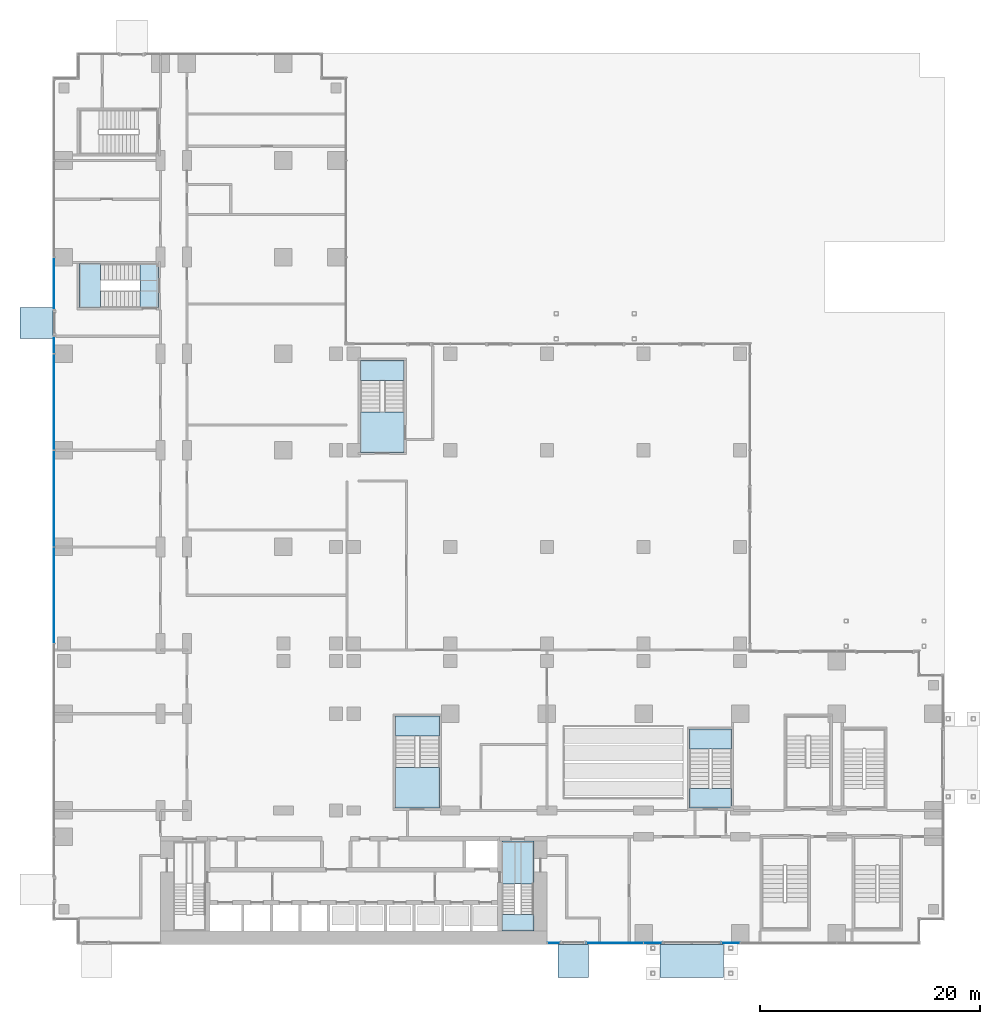
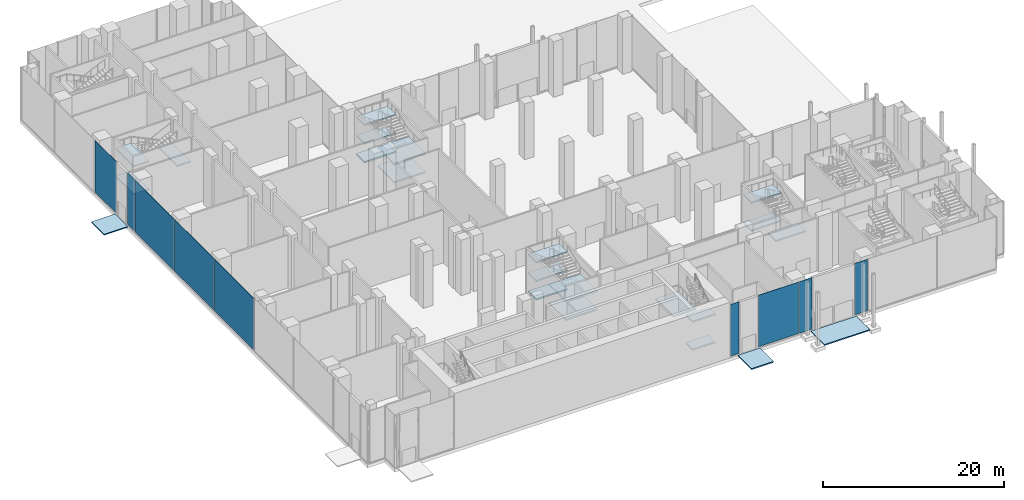
# One storey, part 18 of 41: 22 slabs, 9 plates, 10 elements without a shape of their own.
"""IFC4 building model written with IfcOpenShell, lengths in metres."""

from ifc_helpers import new_model, si_unit, direction, frame, origin, origin_2d, place, context, subcontext, project, spatial, polyline, rectangle, outline, extrude, source, transform, mapped, material, layer, layer_set, type_object, element, aggregate, save


model = new_model("IFC4")

# Units and contexts
model_context = context("Model", 3, precision=1e-05, world=origin(), true_north=direction((0.0, 1.0)))
body_context = subcontext(model_context, "Body", "Model", "MODEL_VIEW")
ifc_project = project(units=[si_unit("LENGTHUNIT", "METRE"), si_unit("AREAUNIT", "SQUARE_METRE"), si_unit("VOLUMEUNIT", "CUBIC_METRE"), si_unit("PLANEANGLEUNIT", "RADIAN"), si_unit("MASSUNIT", "GRAM", prefix="KILO")], contexts=[model_context])

# Site, building, storey
site_placement = place(None, origin())
site = spatial("IfcSite", under=ifc_project, at=site_placement, CompositionType="ELEMENT")
building_placement = place(site_placement, origin())
building = spatial("IfcBuilding", under=site, at=building_placement, Name="Kemantara Hotel Tower", CompositionType="ELEMENT")
storey_placement = place(building_placement, origin())
storey = spatial("IfcBuildingStorey", under=building, at=storey_placement, Name="L00", CompositionType="ELEMENT", Elevation=0.0)

# Slabs
ifc_material_1 = material(Name="Granite paving on concrete base (fc 25 MPa)", Category="masonry")
ifc_layer_1 = layer(ifc_material_1, 0.14990234375)
ifc_layer_set_1 = layer_set([ifc_layer_1], Name="Granite paving on concrete base (fc 25 MPa)")
slab_type_1 = type_object("IfcSlabType", Name="PLAZA PAVING 150", PredefinedType="USERDEFINED", material=ifc_layer_set_1)
slab_1_placement = place(storey_placement, frame((0.0, 0.0, -0.14990234375)))
element("IfcSlab", 1, at=slab_1_placement, inside=storey, type_object=slab_type_1, Name="ENTRANCE PAVING STATION-S", ObjectType="PAVING", PredefinedType="USERDEFINED", context=body_context, shape_type="SweptSolid", body=[
    extrude(outline(polyline([(61.10009765625, 0.0), (61.10009765625, -3.0), (55.300048828125, -3.0), (55.300048828125, 0.0), (61.10009765625, 0.0)])), origin(), (0.0, 0.0, 1.0), 0.14990234375),
])
slab_2_placement = place(storey_placement, frame((0.0, 0.0, -0.14990234375)))
element("IfcSlab", 2, at=slab_2_placement, inside=storey, type_object=slab_type_1, Name="ENTRANCE PAVING EXIT-ST2", ObjectType="PAVING", PredefinedType="USERDEFINED", context=body_context, shape_type="SweptSolid", body=[
    extrude(outline(polyline([(48.800048828125, 0.0), (48.800048828125, -3.0), (46.0, -3.0), (46.0, 0.0), (48.800048828125, 0.0)])), origin(), (0.0, 0.0, 1.0), 0.14990234375),
])
slab_3_placement = place(storey_placement, frame((0.0, 0.0, -0.14990234375)))
element("IfcSlab", 3, at=slab_3_placement, inside=storey, type_object=slab_type_1, Name="ENTRANCE PAVING EXIT-ST4", ObjectType="PAVING", PredefinedType="USERDEFINED", context=body_context, shape_type="SweptSolid", body=[
    extrude(outline(polyline([(0.0, 55.199951171875), (-3.0, 55.199951171875), (-3.0, 58.0), (0.0, 58.0), (0.0, 55.199951171875)])), origin(), (0.0, 0.0, 1.0), 0.14990234375),
])

# Stair, slabs
ifc_material_2 = material(Name="Concrete fc 40 MPa", Category="concrete")
stair_type_1 = type_object("IfcStairType", Name="Stair 1200 wide 44 risers of 170 x 280 mm", PredefinedType="HALF_TURN_STAIR", material=ifc_material_2)
stair_1_placement = place(storey_placement, origin())
stair_1 = element("IfcStair", 4, at=stair_1_placement, inside=storey, type_object=stair_type_1, Name="L00 Exit stair ST2", PredefinedType="HALF_TURN_STAIR")
ifc_layer_2 = layer(ifc_material_2, 0.199951171875)
ifc_layer_set_2 = layer_set([ifc_layer_2], Name="Concrete fc 40 MPa")
slab_type_2 = type_object("IfcSlabType", Name="Stair landing 200 mm", PredefinedType="LANDING", material=ifc_layer_set_2)
slab_4_placement = place(storey_placement, frame((0.0, 0.0, 1.675048828125)))
slab_4 = element("IfcSlab", 5, at=slab_4_placement, type_object=slab_type_2, Name="ST2 landing 1", PredefinedType="LANDING", context=body_context, shape_type="SweptSolid", body=[
    extrude(outline(polyline([(40.89990234375, 2.699951171875), (40.89990234375, 1.199951171875), (43.800048828125, 1.199951171875), (43.800048828125, 2.699951171875), (40.89990234375, 2.699951171875)])), origin(), (0.0, 0.0, 1.0), 0.199951171875),
])
slab_5_placement = place(storey_placement, frame((0.0, 0.0, 3.550048828125)))
slab_5 = element("IfcSlab", 6, at=slab_5_placement, type_object=slab_type_2, Name="ST2 landing 2", PredefinedType="LANDING", context=body_context, shape_type="SweptSolid", body=[
    extrude(outline(polyline([(40.89990234375, 9.39990234375), (40.89990234375, 5.5), (43.800048828125, 5.5), (43.800048828125, 9.39990234375), (40.89990234375, 9.39990234375)])), origin(), (0.0, 0.0, 1.0), 0.199951171875),
])
slab_6_placement = place(storey_placement, frame((0.0, 0.0, 5.425048828125)))
slab_6 = element("IfcSlab", 7, at=slab_6_placement, type_object=slab_type_2, Name="ST2 landing 3", PredefinedType="LANDING", context=body_context, shape_type="SweptSolid", body=[
    extrude(outline(polyline([(40.89990234375, 2.699951171875), (40.89990234375, 1.199951171875), (43.800048828125, 1.199951171875), (43.800048828125, 2.699951171875), (40.89990234375, 2.699951171875)])), origin(), (0.0, 0.0, 1.0), 0.199951171875),
])
aggregate(stair_1, [slab_4, slab_5, slab_6])

stair_type_2 = type_object("IfcStairType", Name="Stair 1800 wide 44 risers of 170 x 360 mm", PredefinedType="HALF_TURN_STAIR", material=ifc_material_2)
stair_2_placement = place(storey_placement, origin())
stair_2 = element("IfcStair", 8, at=stair_2_placement, inside=storey, type_object=stair_type_2, Name="L00 Exit stair ST3", PredefinedType="HALF_TURN_STAIR")
slab_7_placement = place(storey_placement, frame((0.0, 0.0, 1.675048828125)))
slab_7 = element("IfcSlab", 9, at=slab_7_placement, type_object=slab_type_2, Name="ST3 landing 1", PredefinedType="LANDING", context=body_context, shape_type="SweptSolid", body=[
    extrude(outline(polyline([(61.800048828125, 17.800048828125), (61.800048828125, 19.60009765625), (58.0, 19.60009765625), (58.0, 17.800048828125), (61.800048828125, 17.800048828125)])), origin(), (0.0, 0.0, 1.0), 0.199951171875),
])
slab_8_placement = place(storey_placement, frame((0.0, 0.0, 3.550048828125)))
slab_8 = element("IfcSlab", 10, at=slab_8_placement, type_object=slab_type_2, Name="ST3 landing 2", PredefinedType="LANDING", context=body_context, shape_type="SweptSolid", body=[
    extrude(outline(polyline([(61.800048828125, 12.39990234375), (61.800048828125, 14.199951171875), (58.0, 14.199951171875), (58.0, 12.39990234375), (61.800048828125, 12.39990234375)])), origin(), (0.0, 0.0, 1.0), 0.199951171875),
])
slab_9_placement = place(storey_placement, frame((0.0, 0.0, 5.425048828125)))
slab_9 = element("IfcSlab", 11, at=slab_9_placement, type_object=slab_type_2, Name="ST3 landing 3", PredefinedType="LANDING", context=body_context, shape_type="SweptSolid", body=[
    extrude(outline(polyline([(61.800048828125, 17.800048828125), (61.800048828125, 19.60009765625), (58.0, 19.60009765625), (58.0, 17.800048828125), (61.800048828125, 17.800048828125)])), origin(), (0.0, 0.0, 1.0), 0.199951171875),
])
aggregate(stair_2, [slab_7, slab_8, slab_9])

stair_type_3 = type_object("IfcStairType", Name="Stair 1550 wide 44 risers of 170 x 360 mm", PredefinedType="HALF_TURN_STAIR", material=ifc_material_2)
stair_3_placement = place(storey_placement, origin())
stair_3 = element("IfcStair", 12, at=stair_3_placement, inside=storey, type_object=stair_type_3, Name="L00 Exit stair ST4", PredefinedType="HALF_TURN_STAIR")
slab_10_placement = place(storey_placement, frame((0.0, 0.0, 1.675048828125)))
slab_10 = element("IfcSlab", 13, at=slab_10_placement, type_object=slab_type_2, Name="ST4 landing 1", PredefinedType="LANDING", context=body_context, shape_type="SweptSolid", body=[
    extrude(outline(polyline([(4.35009765625, 62.0), (2.39990234375, 62.0), (2.39990234375, 58.0), (4.35009765625, 58.0), (4.35009765625, 62.0)])), origin(), (0.0, 0.0, 1.0), 0.199951171875),
])
slab_11_placement = place(storey_placement, frame((0.0, 0.0, 3.550048828125)))
slab_11 = element("IfcSlab", 14, at=slab_11_placement, type_object=slab_type_2, Name="ST4 landing 2", PredefinedType="LANDING", context=body_context, shape_type="SweptSolid", body=[
    extrude(outline(polyline([(9.60009765625, 62.0), (7.949951171875, 62.0), (7.949951171875, 58.0), (9.60009765625, 58.0), (9.60009765625, 62.0)])), origin(), (0.0, 0.0, 1.0), 0.199951171875),
])
slab_12_placement = place(storey_placement, frame((0.0, 0.0, 5.425048828125)))
slab_12 = element("IfcSlab", 15, at=slab_12_placement, type_object=slab_type_2, Name="ST4 landing 3", PredefinedType="LANDING", context=body_context, shape_type="SweptSolid", body=[
    extrude(outline(polyline([(4.35009765625, 62.0), (2.39990234375, 62.0), (2.39990234375, 58.0), (4.35009765625, 58.0), (4.35009765625, 62.0)])), origin(), (0.0, 0.0, 1.0), 0.199951171875),
])
aggregate(stair_3, [slab_10, slab_11, slab_12])

stair_type_4 = type_object("IfcStairType", Name="Stair 1800 wide 54 risers of 139 x 360 mm", PredefinedType="HALF_TURN_STAIR", material=ifc_material_2)
stair_4_placement = place(storey_placement, origin())
stair_4 = element("IfcStair", 16, at=stair_4_placement, inside=storey, type_object=stair_type_4, Name="L00 Stair PS2", PredefinedType="HALF_TURN_STAIR")
slab_13_placement = place(storey_placement, frame((0.0, 0.0, 1.050048828125)))
slab_13 = element("IfcSlab", 17, at=slab_13_placement, type_object=slab_type_2, Name="PS2 landing 1", PredefinedType="LANDING", context=body_context, shape_type="SweptSolid", body=[
    extrude(outline(polyline([(32.0, 51.3798828125), (32.0, 53.199951171875), (28.0, 53.199951171875), (28.0, 51.3798828125), (32.0, 51.3798828125)])), origin(), (0.0, 0.0, 1.0), 0.199951171875),
])
slab_14_placement = place(storey_placement, frame((0.0, 0.0, 2.300048828125)))
slab_14 = element("IfcSlab", 18, at=slab_14_placement, type_object=slab_type_2, Name="PS2 landing 2", PredefinedType="LANDING", context=body_context, shape_type="SweptSolid", body=[
    extrude(outline(polyline([(32.0, 44.800048828125), (32.0, 48.5), (28.0, 48.5), (28.0, 44.800048828125), (32.0, 44.800048828125)])), origin(), (0.0, 0.0, 1.0), 0.199951171875),
])
slab_15_placement = place(storey_placement, frame((0.0, 0.0, 3.550048828125)))
slab_15 = element("IfcSlab", 19, at=slab_15_placement, type_object=slab_type_2, Name="PS2 landing 3", PredefinedType="LANDING", context=body_context, shape_type="SweptSolid", body=[
    extrude(outline(polyline([(32.0, 51.3798828125), (32.0, 53.199951171875), (28.0, 53.199951171875), (28.0, 51.3798828125), (32.0, 51.3798828125)])), origin(), (0.0, 0.0, 1.0), 0.199951171875),
])
slab_16_placement = place(storey_placement, frame((0.0, 0.0, 4.800048828125)))
slab_16 = element("IfcSlab", 20, at=slab_16_placement, type_object=slab_type_2, Name="PS2 landing 4", PredefinedType="LANDING", context=body_context, shape_type="SweptSolid", body=[
    extrude(outline(polyline([(32.0, 44.800048828125), (32.0, 48.5), (28.0, 48.5), (28.0, 44.800048828125), (32.0, 44.800048828125)])), origin(), (0.0, 0.0, 1.0), 0.199951171875),
])
slab_17_placement = place(storey_placement, frame((0.0, 0.0, 6.050048828125)))
slab_17 = element("IfcSlab", 21, at=slab_17_placement, type_object=slab_type_2, Name="PS2 landing 5", PredefinedType="LANDING", context=body_context, shape_type="SweptSolid", body=[
    extrude(outline(polyline([(32.0, 51.3798828125), (32.0, 53.199951171875), (28.0, 53.199951171875), (28.0, 51.3798828125), (32.0, 51.3798828125)])), origin(), (0.0, 0.0, 1.0), 0.199951171875),
])
aggregate(stair_4, [slab_13, slab_14, slab_15, slab_16, slab_17])

stair_5_placement = place(storey_placement, origin())
stair_5 = element("IfcStair", 22, at=stair_5_placement, inside=storey, type_object=stair_type_4, Name="L00 Stair PS3", PredefinedType="HALF_TURN_STAIR")
slab_18_placement = place(storey_placement, frame((0.0, 0.0, 1.050048828125)))
slab_18 = element("IfcSlab", 23, at=slab_18_placement, type_object=slab_type_2, Name="PS3 landing 1", PredefinedType="LANDING", context=body_context, shape_type="SweptSolid", body=[
    extrude(outline(polyline([(35.199951171875, 18.97998046875), (35.199951171875, 20.800048828125), (31.199951171875, 20.800048828125), (31.199951171875, 18.97998046875), (35.199951171875, 18.97998046875)])), origin(), (0.0, 0.0, 1.0), 0.199951171875),
])
slab_19_placement = place(storey_placement, frame((0.0, 0.0, 2.300048828125)))
slab_19 = element("IfcSlab", 24, at=slab_19_placement, type_object=slab_type_2, Name="PS3 landing 2", PredefinedType="LANDING", context=body_context, shape_type="SweptSolid", body=[
    extrude(outline(polyline([(35.199951171875, 12.39990234375), (35.199951171875, 16.10009765625), (31.199951171875, 16.10009765625), (31.199951171875, 12.39990234375), (35.199951171875, 12.39990234375)])), origin(), (0.0, 0.0, 1.0), 0.199951171875),
])
slab_20_placement = place(storey_placement, frame((0.0, 0.0, 3.550048828125)))
slab_20 = element("IfcSlab", 25, at=slab_20_placement, type_object=slab_type_2, Name="PS3 landing 3", PredefinedType="LANDING", context=body_context, shape_type="SweptSolid", body=[
    extrude(outline(polyline([(35.199951171875, 18.97998046875), (35.199951171875, 20.800048828125), (31.199951171875, 20.800048828125), (31.199951171875, 18.97998046875), (35.199951171875, 18.97998046875)])), origin(), (0.0, 0.0, 1.0), 0.199951171875),
])
slab_21_placement = place(storey_placement, frame((0.0, 0.0, 4.800048828125)))
slab_21 = element("IfcSlab", 26, at=slab_21_placement, type_object=slab_type_2, Name="PS3 landing 4", PredefinedType="LANDING", context=body_context, shape_type="SweptSolid", body=[
    extrude(outline(polyline([(35.199951171875, 12.39990234375), (35.199951171875, 16.10009765625), (31.199951171875, 16.10009765625), (31.199951171875, 12.39990234375), (35.199951171875, 12.39990234375)])), origin(), (0.0, 0.0, 1.0), 0.199951171875),
])
slab_22_placement = place(storey_placement, frame((0.0, 0.0, 6.050048828125)))
slab_22 = element("IfcSlab", 27, at=slab_22_placement, type_object=slab_type_2, Name="PS3 landing 5", PredefinedType="LANDING", context=body_context, shape_type="SweptSolid", body=[
    extrude(outline(polyline([(35.199951171875, 18.97998046875), (35.199951171875, 20.800048828125), (31.199951171875, 20.800048828125), (31.199951171875, 18.97998046875), (35.199951171875, 18.97998046875)])), origin(), (0.0, 0.0, 1.0), 0.199951171875),
])
aggregate(stair_5, [slab_18, slab_19, slab_20, slab_21, slab_22])

# Curtain wall, plate
ifc_material_3 = material(Name="Laminated tinted insulated glass 44 mm", Category="glass")
curtain_wall_type = type_object("IfcCurtainWallType", Name="PODIUM GLASS CURTAIN WALL", PredefinedType="USERDEFINED", material=ifc_material_3)
curtain_wall_1_placement = place(storey_placement, origin())
curtain_wall_1 = element("IfcCurtainWall", 28, at=curtain_wall_1_placement, inside=storey, type_object=curtain_wall_type, Name="CW1 L00 POD-R01-3", ObjectType="PODIUM GLASS CURTAIN WALL", PredefinedType="USERDEFINED")
ifc_layer_3 = layer(ifc_material_3, 0.0439453125)
ifc_layer_set_3 = layer_set([ifc_layer_3], Name="Laminated tinted insulated glass 44 mm")
plate_type = type_object("IfcPlateType", Name="PODIUM GLASS CURTAIN WALL PANEL", PredefinedType="CURTAIN_PANEL", material=ifc_layer_set_3)
shared_shape_1 = source(origin(), body_context, "Body", "SweptSolid", [
    extrude(rectangle(XDim=1.08740234375, YDim=0.0439453125, at=origin_2d()), origin(), (0.0, 0.0, 1.0), 6.949951171875),
])
plate_1_placement = place(storey_placement, frame((45.61865234375, 0.10009765625, 0.14990234375), z_axis=(0.0, 0.0, 1.0), x_axis=(1.0, 0.0, 0.0)))
plate_1 = element("IfcPlate", 29, at=plate_1_placement, type_object=plate_type, Name="CW1 glass panel POD-R01-3.1", PredefinedType="CURTAIN_PANEL", context=body_context, shape_type="MappedRepresentation", body=[
    mapped(shared_shape_1, transform((0.0, 0.0, 0.0))),
])
aggregate(curtain_wall_1, [plate_1])

# Curtain wall, plates
curtain_wall_2_placement = place(storey_placement, origin())
curtain_wall_2 = element("IfcCurtainWall", 30, at=curtain_wall_2_placement, inside=storey, type_object=curtain_wall_type, Name="CW1 L00 POD-R01-4", ObjectType="PODIUM GLASS CURTAIN WALL", PredefinedType="USERDEFINED")
shared_shape_2 = source(origin(), body_context, "Body", "SweptSolid", [
    extrude(rectangle(XDim=5.125, YDim=0.0439453125, at=origin_2d()), origin(), (0.0, 0.0, 1.0), 6.949951171875),
])
plate_2_placement = place(storey_placement, frame((51.199951171875, 0.10009765625, 0.14990234375), z_axis=(0.0, 0.0, 1.0), x_axis=(1.0, 0.0, 0.0)))
plate_2 = element("IfcPlate", 31, at=plate_2_placement, type_object=plate_type, Name="CW1 glass panel POD-R01-4.1", PredefinedType="CURTAIN_PANEL", context=body_context, shape_type="MappedRepresentation", body=[
    mapped(shared_shape_2, transform((0.0, 0.0, 0.0))),
])
shared_shape_3 = source(origin(), body_context, "Body", "SweptSolid", [
    extrude(rectangle(XDim=1.625, YDim=0.0439453125, at=origin_2d()), origin(), (0.0, 0.0, 1.0), 6.949951171875),
])
plate_3_placement = place(storey_placement, frame((54.64990234375, 0.10009765625, 0.14990234375), z_axis=(0.0, 0.0, 1.0), x_axis=(1.0, 0.0, 0.0)))
plate_3 = element("IfcPlate", 32, at=plate_3_placement, type_object=plate_type, Name="CW1 glass panel POD-R01-4.2", PredefinedType="CURTAIN_PANEL", context=body_context, shape_type="MappedRepresentation", body=[
    mapped(shared_shape_3, transform((0.0, 0.0, 0.0))),
])
aggregate(curtain_wall_2, [plate_2, plate_3])

# Curtain wall, plate
curtain_wall_3_placement = place(storey_placement, origin())
curtain_wall_3 = element("IfcCurtainWall", 33, at=curtain_wall_3_placement, inside=storey, type_object=curtain_wall_type, Name="CW1 L00 POD-R01-5", ObjectType="PODIUM GLASS CURTAIN WALL", PredefinedType="USERDEFINED")
plate_4_placement = place(storey_placement, frame((61.75, 0.10009765625, 0.14990234375), z_axis=(0.0, 0.0, 1.0), x_axis=(1.0, 0.0, 0.0)))
plate_4 = element("IfcPlate", 34, at=plate_4_placement, type_object=plate_type, Name="CW1 glass panel POD-R01-5.1", PredefinedType="CURTAIN_PANEL", context=body_context, shape_type="MappedRepresentation", body=[
    mapped(shared_shape_3, transform((0.0, 0.0, 0.0))),
])
aggregate(curtain_wall_3, [plate_4])

# Curtain wall, plates
curtain_wall_4_placement = place(storey_placement, origin())
curtain_wall_4 = element("IfcCurtainWall", 35, at=curtain_wall_4_placement, inside=storey, type_object=curtain_wall_type, Name="CW1 L00 POD-R16-2", ObjectType="PODIUM GLASS CURTAIN WALL", PredefinedType="USERDEFINED")
shared_shape_4 = source(origin(), body_context, "Body", "SweptSolid", [
    extrude(rectangle(XDim=8.72509765625, YDim=0.0439453125, at=origin_2d()), origin(), (0.0, 0.0, 1.0), 6.949951171875),
])
plate_5_placement = place(storey_placement, frame((0.10009765625, 49.39990234375, 0.14990234375), z_axis=(0.0, 0.0, 1.0), x_axis=(0.0, -1.0, 0.0)))
plate_5 = element("IfcPlate", 36, at=plate_5_placement, type_object=plate_type, Name="CW1 glass panel POD-R16-2.2", PredefinedType="CURTAIN_PANEL", context=body_context, shape_type="MappedRepresentation", body=[
    mapped(shared_shape_4, transform((0.0, 0.0, 0.0))),
])
plate_6_placement = place(storey_placement, frame((0.10009765625, 40.60009765625, 0.14990234375), z_axis=(0.0, 0.0, 1.0), x_axis=(0.0, -1.0, 0.0)))
plate_6 = element("IfcPlate", 37, at=plate_6_placement, type_object=plate_type, Name="CW1 glass panel POD-R16-2.3", PredefinedType="CURTAIN_PANEL", context=body_context, shape_type="MappedRepresentation", body=[
    mapped(shared_shape_4, transform((0.0, 0.0, 0.0))),
])
plate_7_placement = place(storey_placement, frame((0.10009765625, 31.800048828125, 0.14990234375), z_axis=(0.0, 0.0, 1.0), x_axis=(0.0, -1.0, 0.0)))
plate_7 = element("IfcPlate", 38, at=plate_7_placement, type_object=plate_type, Name="CW1 glass panel POD-R16-2.4", PredefinedType="CURTAIN_PANEL", context=body_context, shape_type="MappedRepresentation", body=[
    mapped(shared_shape_4, transform((0.0, 0.0, 0.0))),
])
shared_shape_5 = source(origin(), body_context, "Body", "SweptSolid", [
    extrude(rectangle(XDim=1.52490234375, YDim=0.0439453125, at=origin_2d()), origin(), (0.0, 0.0, 1.0), 6.949951171875),
])
plate_8_placement = place(storey_placement, frame((0.10009765625, 54.60009765625, 0.14990234375), z_axis=(0.0, 0.0, 1.0), x_axis=(0.0, -1.0, 0.0)))
plate_8 = element("IfcPlate", 39, at=plate_8_placement, type_object=plate_type, Name="CW1 glass panel POD-R16-2.1", PredefinedType="CURTAIN_PANEL", context=body_context, shape_type="MappedRepresentation", body=[
    mapped(shared_shape_5, transform((0.0, 0.0, 0.0))),
])
aggregate(curtain_wall_4, [plate_8, plate_5, plate_6, plate_7])

# Curtain wall, plate
curtain_wall_5_placement = place(storey_placement, origin())
curtain_wall_5 = element("IfcCurtainWall", 40, at=curtain_wall_5_placement, inside=storey, type_object=curtain_wall_type, Name="CW1 L00 POD-R16-1", ObjectType="PODIUM GLASS CURTAIN WALL", PredefinedType="USERDEFINED")
shared_shape_6 = source(origin(), body_context, "Body", "SweptSolid", [
    extrude(rectangle(XDim=4.72509765625, YDim=0.0439453125, at=origin_2d()), origin(), (0.0, 0.0, 1.0), 6.949951171875),
])
plate_9_placement = place(storey_placement, frame((0.10009765625, 60.199951171875, 0.14990234375), z_axis=(0.0, 0.0, 1.0), x_axis=(0.0, -1.0, 0.0)))
plate_9 = element("IfcPlate", 41, at=plate_9_placement, type_object=plate_type, Name="CW1 glass panel POD-R16-1.3", PredefinedType="CURTAIN_PANEL", context=body_context, shape_type="MappedRepresentation", body=[
    mapped(shared_shape_6, transform((0.0, 0.0, 0.0))),
])
aggregate(curtain_wall_5, [plate_9])

save(model, "model.ifc")
